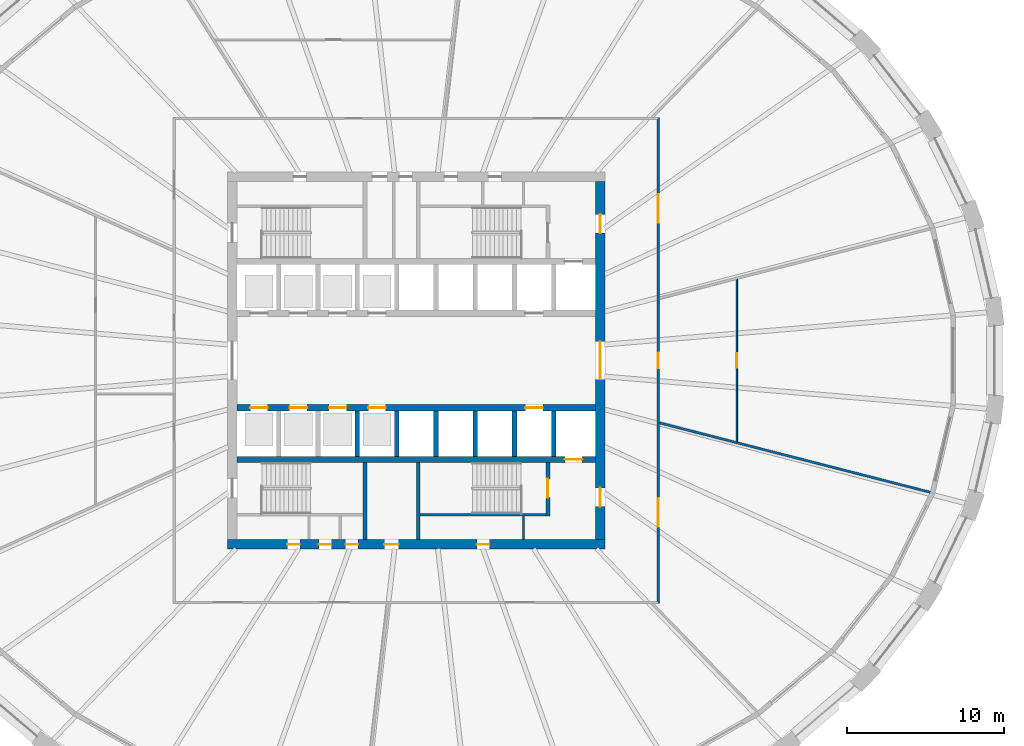
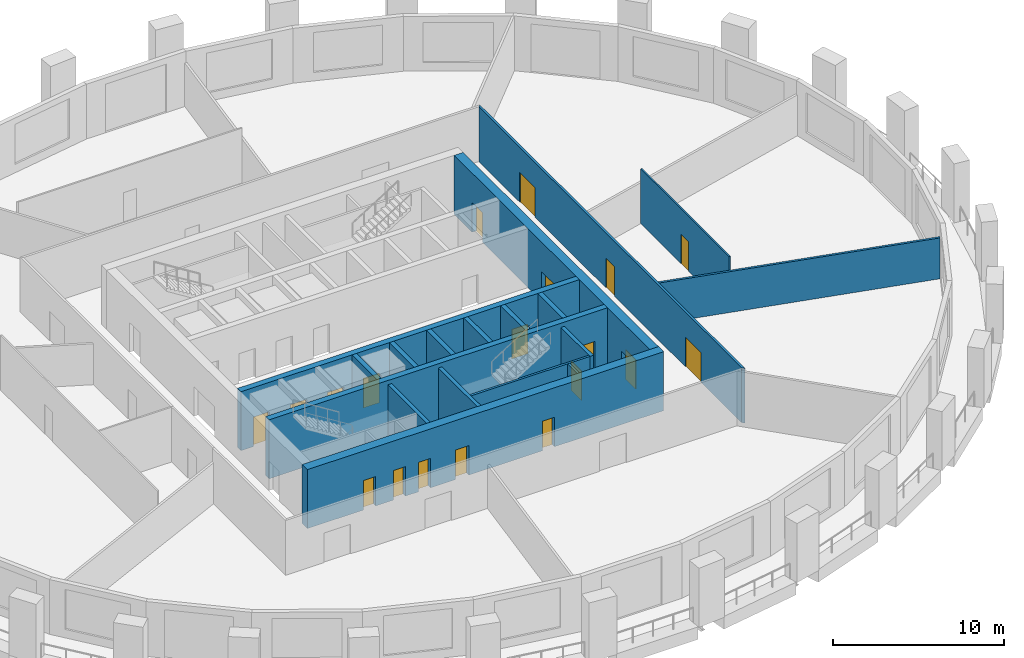
# One storey, part 4 of 10: 19 doors, 18 walls, 19 openings.
"""IFC4 building model written with IfcOpenShell, lengths in metres."""

from ifc_helpers import new_model, si_unit, direction, frame, frame_2d, origin, place, context, subcontext, project, spatial, polyline, rectangle, outline, extrude, material, layer, layer_set, type_object, element, fill, save


model = new_model("IFC4")

# Units and contexts
model_context = context("Model", 3, precision=1e-05, world=origin(), true_north=direction((0.0, 1.0)))
body_context = subcontext(model_context, "Body", "Model", "MODEL_VIEW")
ifc_project = project(units=[si_unit("LENGTHUNIT", "METRE"), si_unit("AREAUNIT", "SQUARE_METRE"), si_unit("VOLUMEUNIT", "CUBIC_METRE"), si_unit("PLANEANGLEUNIT", "RADIAN"), si_unit("MASSUNIT", "GRAM", prefix="KILO")], contexts=[model_context])

# Site, building, storey
site_placement = place(None, origin())
site = spatial("IfcSite", under=ifc_project, at=site_placement, CompositionType="ELEMENT")
building_placement = place(site_placement, origin())
building = spatial("IfcBuilding", under=site, at=building_placement, Name="Halqa Exchange Tower", CompositionType="ELEMENT")
storey_placement = place(building_placement, frame((0.0, 0.0, 61.300048828125)))
storey = spatial("IfcBuildingStorey", under=building, at=storey_placement, Name="L13", CompositionType="ELEMENT", Elevation=61.300048828125)

# Wall, openings, doors
ifc_material_1 = material(Name="Fire-rated gypsum board")
ifc_layer_1 = layer(ifc_material_1, 0.14990234375)
ifc_layer_set_1 = layer_set([ifc_layer_1], Name="Fire-rated gypsum board")
wall_type_1 = type_object("IfcWallType", Name="Fire partition EI 60 150", PredefinedType="PARTITIONING", material=ifc_layer_set_1)
wall_1_placement = place(storey_placement, frame((15.39990234375, -15.47509765625, 0.0), z_axis=(0.0, 0.0, 1.0), x_axis=(0.0, 1.0, 0.0)))
wall_1 = element("IfcWall", 1, at=wall_1_placement, inside=storey, type_object=wall_type_1, Name="L13-PWL-015", PredefinedType="PARTITIONING", context=body_context, shape_type="SweptSolid", body=[
    extrude(outline(polyline([(0.000244140625, -0.074951171875), (1.9345703125, -0.074951171875), (3.868896484375, -0.074951171875), (5.80322265625, -0.074951171875), (7.73779296875, -0.074951171875), (9.672119140625, -0.074951171875), (11.6064453125, -0.074951171875), (13.540771484375, -0.074951171875), (15.47509765625, -0.074951171875), (17.409423828125, -0.074951171875), (19.34375, -0.074951171875), (21.278076171875, -0.074951171875), (23.21240234375, -0.074951171875), (25.14697265625, -0.074951171875), (27.081298828125, -0.074951171875), (29.015625, -0.074951171875), (30.949951171875, -0.074951171875), (30.800048828125, 0.074951171875), (28.884521484375, 0.074951171875), (26.96875, 0.074951171875), (25.05322265625, 0.074951171875), (23.1376953125, 0.074951171875), (21.221923828125, 0.074951171875), (19.306396484375, 0.074951171875), (17.390625, 0.074951171875), (15.47509765625, 0.074951171875), (13.5595703125, 0.074951171875), (11.643798828125, 0.074951171875), (9.728271484375, 0.074951171875), (7.8125, 0.074951171875), (5.89697265625, 0.074951171875), (3.9814453125, 0.074951171875), (2.065673828125, 0.074951171875), (0.150146484375, 0.074951171875), (0.000244140625, -0.074951171875)])), origin(), (0.0, 0.0, 1.0), 3.89990234375),
])
opening_1_placement = place(wall_1_placement, frame((4.89990234375, 0.0, 0.0)))
opening_1 = element("IfcOpeningElement", 2, at=opening_1_placement, cuts=wall_1, Name="Opening 04-01", PredefinedType="OPENING", context=body_context, shape_type="SweptSolid", body=[
    extrude(rectangle(XDim=1.800048828125, YDim=2.10009765625, at=frame_2d((0.89990234375, 1.050048828125))), frame((0.0, 0.0869140625, 0.0), z_axis=(0.0, -1.0, 0.0), x_axis=(1.0, 0.0, 0.0)), (0.0, 0.0, 1.0), 0.173828125),
])
opening_2_placement = place(wall_1_placement, frame((14.97509765625, 0.0, 0.0)))
opening_2 = element("IfcOpeningElement", 3, at=opening_2_placement, cuts=wall_1, Name="Opening 04-02", PredefinedType="OPENING", context=body_context, shape_type="SweptSolid", body=[
    extrude(rectangle(XDim=1.0, YDim=2.10009765625, at=frame_2d((0.5, 1.050048828125))), frame((0.0, 0.0869140625, 0.0), z_axis=(0.0, -1.0, 0.0), x_axis=(1.0, 0.0, 0.0)), (0.0, 0.0, 1.0), 0.173828125),
])
opening_3_placement = place(wall_1_placement, frame((24.25, 0.0, 0.0)))
opening_3 = element("IfcOpeningElement", 4, at=opening_3_placement, cuts=wall_1, Name="Opening 04-03", PredefinedType="OPENING", context=body_context, shape_type="SweptSolid", body=[
    extrude(rectangle(XDim=1.800048828125, YDim=2.10009765625, at=frame_2d((0.89990234375, 1.050048828125))), frame((0.0, 0.0869140625, 0.0), z_axis=(0.0, -1.0, 0.0), x_axis=(1.0, 0.0, 0.0)), (0.0, 0.0, 1.0), 0.173828125),
])
ifc_material_2 = material(Name="Steel fire door leaf", Category="steel")
door_type_1 = type_object("IfcDoorType", Name="Fire door FD30S 1000 x 2100", OperationType="SINGLE_SWING_LEFT", PredefinedType="DOOR", material=ifc_material_2)
door_1_placement = place(opening_2_placement, frame((1.0, 0.0, 0.0), z_axis=(0.0, 0.0, 1.0), x_axis=(-1.0, 0.0, 0.0)))
door_1 = element("IfcDoor", 5, at=door_1_placement, inside=storey, type_object=door_type_1, Name="L13-IDR-002", OperationType="SINGLE_SWING_RIGHT", OverallHeight=2.10009765625, OverallWidth=1.0, PredefinedType="DOOR", context=body_context, shape_type="SweptSolid", body=[
    extrude(rectangle(XDim=1.0, YDim=2.10009765625, at=frame_2d((0.5, 1.050048828125))), frame((0.0, 0.02490234375, 0.0), z_axis=(0.0, -1.0, 0.0), x_axis=(1.0, 0.0, 0.0)), (0.0, 0.0, 1.0), 0.050048828125),
])
fill(opening_2, door_1)
door_type_2 = type_object("IfcDoorType", Name="Fire door FD30S double 1800 x 2100", OperationType="DOUBLE_DOOR_SINGLE_SWING", PredefinedType="DOOR", material=ifc_material_2)
door_2_placement = place(opening_1_placement, frame((1.800048828125, 0.0, 0.0), z_axis=(0.0, 0.0, 1.0), x_axis=(-1.0, 0.0, 0.0)))
door_2 = element("IfcDoor", 6, at=door_2_placement, inside=storey, type_object=door_type_2, Name="L13-IDR-001", OperationType="DOUBLE_DOOR_SINGLE_SWING", OverallHeight=2.10009765625, OverallWidth=1.800048828125, PredefinedType="DOOR", context=body_context, shape_type="SweptSolid", body=[
    extrude(rectangle(XDim=1.800048828125, YDim=2.10009765625, at=frame_2d((0.89990234375, 1.050048828125))), frame((0.0, 0.02490234375, 0.0), z_axis=(0.0, -1.0, 0.0), x_axis=(1.0, 0.0, 0.0)), (0.0, 0.0, 1.0), 0.050048828125),
])
fill(opening_1, door_2)
door_3_placement = place(opening_3_placement, frame((1.800048828125, 0.0, 0.0), z_axis=(0.0, 0.0, 1.0), x_axis=(-1.0, 0.0, 0.0)))
door_3 = element("IfcDoor", 7, at=door_3_placement, inside=storey, type_object=door_type_2, Name="L13-IDR-003", OperationType="DOUBLE_DOOR_SINGLE_SWING", OverallHeight=2.10009765625, OverallWidth=1.800048828125, PredefinedType="DOOR", context=body_context, shape_type="SweptSolid", body=[
    extrude(rectangle(XDim=1.800048828125, YDim=2.10009765625, at=frame_2d((0.89990234375, 1.050048828125))), frame((0.0, 0.02490234375, 0.0), z_axis=(0.0, -1.0, 0.0), x_axis=(1.0, 0.0, 0.0)), (0.0, 0.0, 1.0), 0.050048828125),
])
fill(opening_3, door_3)

# Wall
wall_2_placement = place(storey_placement, frame((15.456787109375, -3.964599609375, 0.0), z_axis=(0.0, 0.0, 1.0), x_axis=(0.968702688789, -0.248223892349, 0.0)))
element("IfcWall", 8, at=wall_2_placement, inside=storey, type_object=wall_type_1, Name="L13-PWL-016", PredefinedType="PARTITIONING", context=body_context, shape_type="SweptSolid", body=[
    extrude(outline(polyline([(0.0380859375, -0.074951171875), (2.01025390625, -0.074951171875), (3.982421875, -0.074951171875), (5.954833984375, -0.074951171875), (7.927001953125, -0.074951171875), (9.8994140625, -0.074951171875), (11.87158203125, -0.074951171875), (13.843994140625, -0.074951171875), (15.816162109375, -0.074951171875), (17.788330078125, -0.074951171875), (17.80126953125, -0.01318359375), (17.80126953125, 0.074951171875), (15.97802734375, 0.074951171875), (14.154541015625, 0.074951171875), (12.331298828125, 0.074951171875), (10.5078125, 0.074951171875), (8.6845703125, 0.074951171875), (6.861083984375, 0.074951171875), (5.037841796875, 0.074951171875), (5.032470703125, 0.073486328125), (5.031982421875, 0.074951171875), (3.354736328125, 0.074951171875), (1.67724609375, 0.074951171875), (0.0, 0.074951171875), (0.0, 0.073486328125), (0.0380859375, -0.074951171875)])), origin(), (0.0, 0.0, 1.0), 2.909912109375),
])

# Wall, opening, door
ifc_material_3 = material(Name="Gypsum board")
ifc_layer_2 = layer(ifc_material_3, 0.10009765625)
ifc_layer_set_2 = layer_set([ifc_layer_2], Name="Gypsum board")
wall_type_2 = type_object("IfcWallType", Name="Partition 100 gypsum", PredefinedType="PARTITIONING", material=ifc_layer_set_2)
wall_3_placement = place(storey_placement, frame((20.39990234375, 5.1650390625, 0.0), z_axis=(0.0, 0.0, 1.0), x_axis=(0.0, -1.0, 0.0)))
wall_3 = element("IfcWall", 9, at=wall_3_placement, inside=storey, type_object=wall_type_2, Name="L13-PWL-018", PredefinedType="PARTITIONING", context=body_context, shape_type="SweptSolid", body=[
    extrude(outline(polyline([(0.025390625, -0.050048828125), (1.73876953125, -0.050048828125), (3.4521484375, -0.050048828125), (5.165771484375, -0.050048828125), (6.879150390625, -0.050048828125), (8.592529296875, -0.050048828125), (10.305908203125, -0.050048828125), (10.33154296875, 0.049560546875), (10.33154296875, 0.050048828125), (8.609619140625, 0.050048828125), (6.8876953125, 0.050048828125), (5.165771484375, 0.050048828125), (3.44384765625, 0.050048828125), (1.721923828125, 0.050048828125), (0.0, 0.050048828125), (0.0, 0.048828125), (0.025390625, -0.050048828125)])), origin(), (0.0, 0.0, 1.0), 3.89990234375),
])
opening_4_placement = place(wall_3_placement, frame((4.715087890625, 0.0, 0.0)))
opening_4 = element("IfcOpeningElement", 10, at=opening_4_placement, cuts=wall_3, Name="Opening 04-12", PredefinedType="OPENING", context=body_context, shape_type="SweptSolid", body=[
    extrude(rectangle(XDim=0.89990234375, YDim=2.10009765625, at=frame_2d((0.449951171875, 1.050048828125))), frame((0.0, 0.06201171875, 0.0), z_axis=(0.0, -1.0, 0.0), x_axis=(1.0, 0.0, 0.0)), (0.0, 0.0, 1.0), 0.1240234375),
])
ifc_material_4 = material(Name="Timber door leaf", Category="wood")
door_type_3 = type_object("IfcDoorType", Name="Door 900 x 2100", OperationType="SINGLE_SWING_LEFT", PredefinedType="DOOR", material=ifc_material_4)
door_4_placement = place(opening_4_placement, frame((0.89990234375, 0.0, 0.0), z_axis=(0.0, 0.0, 1.0), x_axis=(-1.0, 0.0, 0.0)))
door_4 = element("IfcDoor", 11, at=door_4_placement, inside=storey, type_object=door_type_3, Name="L13-IDR-012", OperationType="SINGLE_SWING_LEFT", OverallHeight=2.10009765625, OverallWidth=0.89990234375, PredefinedType="DOOR", context=body_context, shape_type="SweptSolid", body=[
    extrude(rectangle(XDim=0.89990234375, YDim=2.10009765625, at=frame_2d((0.449951171875, 1.050048828125))), frame((0.0, 0.02490234375, 0.0), z_axis=(0.0, -1.0, 0.0), x_axis=(1.0, 0.0, 0.0)), (0.0, 0.0, 1.0), 0.050048828125),
])
fill(opening_4, door_4)

# Walls
ifc_layer_3 = layer(ifc_material_3, 0.14990234375)
ifc_layer_set_3 = layer_set([ifc_layer_3], Name="Gypsum board")
wall_type_3 = type_object("IfcWallType", Name="Penthouse riser wall 150 gypsum", PredefinedType="PARTITIONING", material=ifc_layer_set_3)
wall_4_placement = place(storey_placement, frame((6.824951171875, -11.39990234375, 0.0), z_axis=(0.0, 0.0, 1.0), x_axis=(0.0, 1.0, 0.0)))
element("IfcWall", 12, at=wall_4_placement, inside=storey, type_object=wall_type_3, Name="Firefighting lobby west wall S", PredefinedType="PARTITIONING", context=body_context, shape_type="SweptSolid", body=[
    extrude(rectangle(XDim=1.5, YDim=0.14990234375, at=frame_2d((0.75, 0.0))), origin(), (0.0, 0.0, 1.0), 3.89990234375),
])
ifc_material_5 = material(Name="Concrete C60/75", Category="concrete")
ifc_layer_4 = layer(ifc_material_5, 0.300048828125)
ifc_layer_set_4 = layer_set([ifc_layer_4], Name="Concrete C60/75")
wall_type_4 = type_object("IfcWallType", Name="RC core wall 300", PredefinedType="SHEAR", material=ifc_layer_set_4)
for number, where, z_axis, x_axis, name in (
    (13, (-3.75, -6.10009765625, 0.0), (0.0, 0.0, 1.0), (0.0, 1.0, 0.0), "Shaft divider S3"),
    (14, (-1.25, -6.10009765625, 0.0), (0.0, 0.0, 1.0), (0.0, 1.0, 0.0), "Shaft divider S4"),
    (15, (1.25, -6.10009765625, 0.0), (0.0, 0.0, 1.0), (0.0, 1.0, 0.0), "Shaft divider S5"),
    (16, (3.75, -6.10009765625, 0.0), (0.0, 0.0, 1.0), (0.0, 1.0, 0.0), "Shaft divider S6"),
    (17, (6.25, -6.10009765625, 0.0), (0.0, 0.0, 1.0), (0.0, 1.0, 0.0), "Shaft divider S7"),
    (18, (8.75, -6.10009765625, 0.0), (0.0, 0.0, 1.0), (0.0, 1.0, 0.0), "Shaft divider S8"),
):
    element("IfcWall", number, at=place(storey_placement, frame(where, z_axis=z_axis, x_axis=x_axis)), inside=storey, type_object=wall_type_4, Name=name, PredefinedType="SHEAR", context=body_context, shape_type="SweptSolid", body=[
        extrude(rectangle(XDim=2.900146484375, YDim=0.300048828125, at=frame_2d((1.4501953125, 0.0))), origin(), (0.0, 0.0, 1.0), 4.199951171875),
    ])

# Wall, openings, doors
ifc_material_6 = material(Name="Concrete C80/95", Category="concrete")
ifc_layer_5 = layer(ifc_material_6, 0.39990234375)
ifc_layer_set_5 = layer_set([ifc_layer_5], Name="Concrete C80/95")
wall_type_5 = type_object("IfcWallType", Name="RC core wall 400 C80/95", PredefinedType="SHEAR", material=ifc_layer_set_5)
wall_5_placement = place(storey_placement, frame((-11.39990234375, -3.0, 0.0), z_axis=(0.0, 0.0, 1.0), x_axis=(1.0, 0.0, 0.0)))
wall_5 = element("IfcWall", 19, at=wall_5_placement, inside=storey, type_object=wall_type_5, Name="Lift row front wall S", PredefinedType="SHEAR", context=body_context, shape_type="SweptSolid", body=[
    extrude(rectangle(XDim=22.7998046875, YDim=0.39990234375, at=frame_2d((11.39990234375, 0.0))), origin(), (0.0, 0.0, 1.0), 4.199951171875),
])
opening_5_placement = place(wall_5_placement, frame((0.85009765625, 0.0, 0.0)))
opening_5 = element("IfcOpeningElement", 20, at=opening_5_placement, cuts=wall_5, Name="Opening LD-LR5-T04", PredefinedType="OPENING", context=body_context, shape_type="SweptSolid", body=[
    extrude(rectangle(XDim=1.10009765625, YDim=2.10009765625, at=frame_2d((0.550048828125, 1.050048828125))), frame((0.0, 0.2119140625, 0.0), z_axis=(0.0, -1.0, 0.0), x_axis=(1.0, 0.0, 0.0)), (0.0, 0.0, 1.0), 0.423828125),
])
opening_6_placement = place(wall_5_placement, frame((3.35009765625, 0.0, 0.0)))
opening_6 = element("IfcOpeningElement", 21, at=opening_6_placement, cuts=wall_5, Name="Opening LD-LR6-T04", PredefinedType="OPENING", context=body_context, shape_type="SweptSolid", body=[
    extrude(rectangle(XDim=1.10009765625, YDim=2.10009765625, at=frame_2d((0.550048828125, 1.050048828125))), frame((0.0, 0.2119140625, 0.0), z_axis=(0.0, -1.0, 0.0), x_axis=(1.0, 0.0, 0.0)), (0.0, 0.0, 1.0), 0.423828125),
])
opening_7_placement = place(wall_5_placement, frame((5.85009765625, 0.0, 0.0)))
opening_7 = element("IfcOpeningElement", 22, at=opening_7_placement, cuts=wall_5, Name="Opening LD-LR7-T04", PredefinedType="OPENING", context=body_context, shape_type="SweptSolid", body=[
    extrude(rectangle(XDim=1.10009765625, YDim=2.10009765625, at=frame_2d((0.550048828125, 1.050048828125))), frame((0.0, 0.2119140625, 0.0), z_axis=(0.0, -1.0, 0.0), x_axis=(1.0, 0.0, 0.0)), (0.0, 0.0, 1.0), 0.423828125),
])
opening_8_placement = place(wall_5_placement, frame((8.35009765625, 0.0, 0.0)))
opening_8 = element("IfcOpeningElement", 23, at=opening_8_placement, cuts=wall_5, Name="Opening LD-LR8-T04", PredefinedType="OPENING", context=body_context, shape_type="SweptSolid", body=[
    extrude(rectangle(XDim=1.10009765625, YDim=2.10009765625, at=frame_2d((0.550048828125, 1.050048828125))), frame((0.0, 0.2119140625, 0.0), z_axis=(0.0, -1.0, 0.0), x_axis=(1.0, 0.0, 0.0)), (0.0, 0.0, 1.0), 0.423828125),
])
opening_9_placement = place(wall_5_placement, frame((18.35009765625, 0.0, 0.0)))
opening_9 = element("IfcOpeningElement", 24, at=opening_9_placement, cuts=wall_5, Name="Opening LD-SV2-T04", PredefinedType="OPENING", context=body_context, shape_type="SweptSolid", body=[
    extrude(rectangle(XDim=1.10009765625, YDim=2.10009765625, at=frame_2d((0.550048828125, 1.050048828125))), frame((0.0, 0.2119140625, 0.0), z_axis=(0.0, -1.0, 0.0), x_axis=(1.0, 0.0, 0.0)), (0.0, 0.0, 1.0), 0.423828125),
])
ifc_material_7 = material(Name="Stainless steel", Category="steel")
door_type_4 = type_object("IfcDoorType", Name="Lift landing door 1100 x 2100", OperationType="SLIDING_TO_LEFT", PredefinedType="DOOR", material=ifc_material_7)
door_5_placement = place(opening_5_placement, origin())
door_5 = element("IfcDoor", 25, at=door_5_placement, inside=storey, type_object=door_type_4, Name="Lift landing door LR5", OperationType="SLIDING_TO_LEFT", OverallHeight=2.10009765625, OverallWidth=1.10009765625, PredefinedType="DOOR", context=body_context, shape_type="SweptSolid", body=[
    extrude(rectangle(XDim=1.10009765625, YDim=2.10009765625, at=frame_2d((0.550048828125, 1.050048828125))), frame((0.0, 0.02490234375, 0.0), z_axis=(0.0, -1.0, 0.0), x_axis=(1.0, 0.0, 0.0)), (0.0, 0.0, 1.0), 0.050048828125),
])
fill(opening_5, door_5)
door_6_placement = place(opening_6_placement, origin())
door_6 = element("IfcDoor", 26, at=door_6_placement, inside=storey, type_object=door_type_4, Name="Lift landing door LR6", OperationType="SLIDING_TO_LEFT", OverallHeight=2.10009765625, OverallWidth=1.10009765625, PredefinedType="DOOR", context=body_context, shape_type="SweptSolid", body=[
    extrude(rectangle(XDim=1.10009765625, YDim=2.10009765625, at=frame_2d((0.550048828125, 1.050048828125))), frame((0.0, 0.02490234375, 0.0), z_axis=(0.0, -1.0, 0.0), x_axis=(1.0, 0.0, 0.0)), (0.0, 0.0, 1.0), 0.050048828125),
])
fill(opening_6, door_6)
door_7_placement = place(opening_7_placement, origin())
door_7 = element("IfcDoor", 27, at=door_7_placement, inside=storey, type_object=door_type_4, Name="Lift landing door LR7", OperationType="SLIDING_TO_LEFT", OverallHeight=2.10009765625, OverallWidth=1.10009765625, PredefinedType="DOOR", context=body_context, shape_type="SweptSolid", body=[
    extrude(rectangle(XDim=1.10009765625, YDim=2.10009765625, at=frame_2d((0.550048828125, 1.050048828125))), frame((0.0, 0.02490234375, 0.0), z_axis=(0.0, -1.0, 0.0), x_axis=(1.0, 0.0, 0.0)), (0.0, 0.0, 1.0), 0.050048828125),
])
fill(opening_7, door_7)
door_8_placement = place(opening_8_placement, origin())
door_8 = element("IfcDoor", 28, at=door_8_placement, inside=storey, type_object=door_type_4, Name="Lift landing door LR8", OperationType="SLIDING_TO_LEFT", OverallHeight=2.10009765625, OverallWidth=1.10009765625, PredefinedType="DOOR", context=body_context, shape_type="SweptSolid", body=[
    extrude(rectangle(XDim=1.10009765625, YDim=2.10009765625, at=frame_2d((0.550048828125, 1.050048828125))), frame((0.0, 0.02490234375, 0.0), z_axis=(0.0, -1.0, 0.0), x_axis=(1.0, 0.0, 0.0)), (0.0, 0.0, 1.0), 0.050048828125),
])
fill(opening_8, door_8)
door_9_placement = place(opening_9_placement, origin())
door_9 = element("IfcDoor", 29, at=door_9_placement, inside=storey, type_object=door_type_4, Name="Lift landing door SV2", OperationType="SLIDING_TO_LEFT", OverallHeight=2.10009765625, OverallWidth=1.10009765625, PredefinedType="DOOR", context=body_context, shape_type="SweptSolid", body=[
    extrude(rectangle(XDim=1.10009765625, YDim=2.10009765625, at=frame_2d((0.550048828125, 1.050048828125))), frame((0.0, 0.02490234375, 0.0), z_axis=(0.0, -1.0, 0.0), x_axis=(1.0, 0.0, 0.0)), (0.0, 0.0, 1.0), 0.050048828125),
])
fill(opening_9, door_9)

# Wall, opening, door
wall_6_placement = place(storey_placement, frame((-11.39990234375, -6.300048828125, 0.0), z_axis=(0.0, 0.0, 1.0), x_axis=(1.0, 0.0, 0.0)))
wall_6 = element("IfcWall", 30, at=wall_6_placement, inside=storey, type_object=wall_type_5, Name="Lift row back wall S", PredefinedType="SHEAR", context=body_context, shape_type="SweptSolid", body=[
    extrude(rectangle(XDim=22.7998046875, YDim=0.39990234375, at=frame_2d((11.39990234375, 0.0))), origin(), (0.0, 0.0, 1.0), 4.199951171875),
])
opening_10_placement = place(wall_6_placement, frame((20.85009765625, 0.0, 0.0)))
opening_10 = element("IfcOpeningElement", 31, at=opening_10_placement, cuts=wall_6, Name="Opening LD-FF2-T04", PredefinedType="OPENING", context=body_context, shape_type="SweptSolid", body=[
    extrude(rectangle(XDim=1.10009765625, YDim=2.10009765625, at=frame_2d((0.550048828125, 1.050048828125))), frame((0.0, 0.2119140625, 0.0), z_axis=(0.0, -1.0, 0.0), x_axis=(1.0, 0.0, 0.0)), (0.0, 0.0, 1.0), 0.423828125),
])
door_10_placement = place(opening_10_placement, origin())
door_10 = element("IfcDoor", 32, at=door_10_placement, inside=storey, type_object=door_type_4, Name="Lift landing door FF2", OperationType="SLIDING_TO_LEFT", OverallHeight=2.10009765625, OverallWidth=1.10009765625, PredefinedType="DOOR", context=body_context, shape_type="SweptSolid", body=[
    extrude(rectangle(XDim=1.10009765625, YDim=2.10009765625, at=frame_2d((0.550048828125, 1.050048828125))), frame((0.0, 0.02490234375, 0.0), z_axis=(0.0, -1.0, 0.0), x_axis=(1.0, 0.0, 0.0)), (0.0, 0.0, 1.0), 0.050048828125),
])
fill(opening_10, door_10)

# Wall, openings, doors
ifc_layer_6 = layer(ifc_material_6, 0.60009765625)
ifc_layer_set_6 = layer_set([ifc_layer_6], Name="Concrete C80/95")
wall_type_6 = type_object("IfcWallType", Name="RC core wall 600 C80/95", PredefinedType="SHEAR", material=ifc_layer_set_6)
wall_7_placement = place(storey_placement, frame((-12.0, -11.699951171875, 0.0), z_axis=(0.0, 0.0, 1.0), x_axis=(1.0, 0.0, 0.0)))
wall_7 = element("IfcWall", 33, at=wall_7_placement, inside=storey, type_object=wall_type_6, Name="Core wall south", PredefinedType="SHEAR", context=body_context, shape_type="SweptSolid", body=[
    extrude(rectangle(XDim=24.0, YDim=0.60009765625, at=frame_2d((12.0, 0.0))), origin(), (0.0, 0.0, 1.0), 4.199951171875),
])
opening_11_placement = place(wall_7_placement, frame((9.97509765625, 0.0, 0.0)))
opening_11 = element("IfcOpeningElement", 34, at=opening_11_placement, cuts=wall_7, Name="Opening T04-C26", PredefinedType="OPENING", context=body_context, shape_type="SweptSolid", body=[
    extrude(rectangle(XDim=0.89990234375, YDim=2.10009765625, at=frame_2d((0.449951171875, 1.050048828125))), frame((0.0, 0.31201171875, 0.0), z_axis=(0.0, -1.0, 0.0), x_axis=(1.0, 0.0, 0.0)), (0.0, 0.0, 1.0), 0.6240234375),
])
opening_12_placement = place(wall_7_placement, frame((3.800048828125, 0.0, 0.0)))
opening_12 = element("IfcOpeningElement", 35, at=opening_12_placement, cuts=wall_7, Name="Opening T04-C27", PredefinedType="OPENING", context=body_context, shape_type="SweptSolid", body=[
    extrude(rectangle(XDim=0.800048828125, YDim=2.10009765625, at=frame_2d((0.39990234375, 1.050048828125))), frame((0.0, 0.31201171875, 0.0), z_axis=(0.0, -1.0, 0.0), x_axis=(1.0, 0.0, 0.0)), (0.0, 0.0, 1.0), 0.6240234375),
])
opening_13_placement = place(wall_7_placement, frame((5.800048828125, 0.0, 0.0)))
opening_13 = element("IfcOpeningElement", 36, at=opening_13_placement, cuts=wall_7, Name="Opening T04-C28", PredefinedType="OPENING", context=body_context, shape_type="SweptSolid", body=[
    extrude(rectangle(XDim=0.800048828125, YDim=2.10009765625, at=frame_2d((0.39990234375, 1.050048828125))), frame((0.0, 0.31201171875, 0.0), z_axis=(0.0, -1.0, 0.0), x_axis=(1.0, 0.0, 0.0)), (0.0, 0.0, 1.0), 0.6240234375),
])
opening_14_placement = place(wall_7_placement, frame((7.5, 0.0, 0.0)))
opening_14 = element("IfcOpeningElement", 37, at=opening_14_placement, cuts=wall_7, Name="Opening T04-C29", PredefinedType="OPENING", context=body_context, shape_type="SweptSolid", body=[
    extrude(rectangle(XDim=0.800048828125, YDim=2.10009765625, at=frame_2d((0.39990234375, 1.050048828125))), frame((0.0, 0.31201171875, 0.0), z_axis=(0.0, -1.0, 0.0), x_axis=(1.0, 0.0, 0.0)), (0.0, 0.0, 1.0), 0.6240234375),
])
opening_15_placement = place(wall_7_placement, frame((15.85009765625, 0.0, 0.0)))
opening_15 = element("IfcOpeningElement", 38, at=opening_15_placement, cuts=wall_7, Name="Opening T04-C30", PredefinedType="OPENING", context=body_context, shape_type="SweptSolid", body=[
    extrude(rectangle(XDim=0.800048828125, YDim=2.10009765625, at=frame_2d((0.39990234375, 1.050048828125))), frame((0.0, 0.31201171875, 0.0), z_axis=(0.0, -1.0, 0.0), x_axis=(1.0, 0.0, 0.0)), (0.0, 0.0, 1.0), 0.6240234375),
])
ifc_material_8 = material(Name="Timber fire door leaf", Category="wood")
door_type_5 = type_object("IfcDoorType", Name="Core room door FD30 900 x 2100", OperationType="SINGLE_SWING_LEFT", PredefinedType="DOOR", material=ifc_material_8)
door_11_placement = place(opening_11_placement, origin())
door_11 = element("IfcDoor", 39, at=door_11_placement, inside=storey, type_object=door_type_5, Name="Core room door", OperationType="SINGLE_SWING_LEFT", OverallHeight=2.10009765625, OverallWidth=0.89990234375, PredefinedType="DOOR", context=body_context, shape_type="SweptSolid", body=[
    extrude(rectangle(XDim=0.89990234375, YDim=2.10009765625, at=frame_2d((0.449951171875, 1.050048828125))), frame((0.0, 0.02490234375, 0.0), z_axis=(0.0, -1.0, 0.0), x_axis=(1.0, 0.0, 0.0)), (0.0, 0.0, 1.0), 0.050048828125),
])
fill(opening_11, door_11)
door_type_6 = type_object("IfcDoorType", Name="Riser door FD60 800 x 2100", OperationType="SINGLE_SWING_LEFT", PredefinedType="DOOR", material=ifc_material_2)
door_12_placement = place(opening_12_placement, origin())
door_12 = element("IfcDoor", 40, at=door_12_placement, inside=storey, type_object=door_type_6, Name="Core room door", OperationType="SINGLE_SWING_LEFT", OverallHeight=2.10009765625, OverallWidth=0.800048828125, PredefinedType="DOOR", context=body_context, shape_type="SweptSolid", body=[
    extrude(rectangle(XDim=0.800048828125, YDim=2.10009765625, at=frame_2d((0.39990234375, 1.050048828125))), frame((0.0, 0.02490234375, 0.0), z_axis=(0.0, -1.0, 0.0), x_axis=(1.0, 0.0, 0.0)), (0.0, 0.0, 1.0), 0.050048828125),
])
fill(opening_12, door_12)
door_13_placement = place(opening_13_placement, origin())
door_13 = element("IfcDoor", 41, at=door_13_placement, inside=storey, type_object=door_type_6, Name="Core room door", OperationType="SINGLE_SWING_RIGHT", OverallHeight=2.10009765625, OverallWidth=0.800048828125, PredefinedType="DOOR", context=body_context, shape_type="SweptSolid", body=[
    extrude(rectangle(XDim=0.800048828125, YDim=2.10009765625, at=frame_2d((0.39990234375, 1.050048828125))), frame((0.0, 0.02490234375, 0.0), z_axis=(0.0, -1.0, 0.0), x_axis=(1.0, 0.0, 0.0)), (0.0, 0.0, 1.0), 0.050048828125),
])
fill(opening_13, door_13)
door_14_placement = place(opening_14_placement, origin())
door_14 = element("IfcDoor", 42, at=door_14_placement, inside=storey, type_object=door_type_6, Name="Core room door", OperationType="SINGLE_SWING_RIGHT", OverallHeight=2.10009765625, OverallWidth=0.800048828125, PredefinedType="DOOR", context=body_context, shape_type="SweptSolid", body=[
    extrude(rectangle(XDim=0.800048828125, YDim=2.10009765625, at=frame_2d((0.39990234375, 1.050048828125))), frame((0.0, 0.02490234375, 0.0), z_axis=(0.0, -1.0, 0.0), x_axis=(1.0, 0.0, 0.0)), (0.0, 0.0, 1.0), 0.050048828125),
])
fill(opening_14, door_14)
door_15_placement = place(opening_15_placement, origin())
door_15 = element("IfcDoor", 43, at=door_15_placement, inside=storey, type_object=door_type_6, Name="Core room door", OperationType="SINGLE_SWING_LEFT", OverallHeight=2.10009765625, OverallWidth=0.800048828125, PredefinedType="DOOR", context=body_context, shape_type="SweptSolid", body=[
    extrude(rectangle(XDim=0.800048828125, YDim=2.10009765625, at=frame_2d((0.39990234375, 1.050048828125))), frame((0.0, 0.02490234375, 0.0), z_axis=(0.0, -1.0, 0.0), x_axis=(1.0, 0.0, 0.0)), (0.0, 0.0, 1.0), 0.050048828125),
])
fill(opening_15, door_15)

wall_8_placement = place(storey_placement, frame((11.699951171875, -11.39990234375, 0.0), z_axis=(0.0, 0.0, 1.0), x_axis=(0.0, 1.0, 0.0)))
wall_8 = element("IfcWall", 44, at=wall_8_placement, inside=storey, type_object=wall_type_6, Name="Core wall east", PredefinedType="SHEAR", context=body_context, shape_type="SweptSolid", body=[
    extrude(rectangle(XDim=22.7998046875, YDim=0.60009765625, at=frame_2d((11.39990234375, 0.0))), origin(), (0.0, 0.0, 1.0), 4.199951171875),
])
opening_16_placement = place(wall_8_placement, frame((10.199951171875, 0.0, 0.0)))
opening_16 = element("IfcOpeningElement", 45, at=opening_16_placement, cuts=wall_8, Name="Opening T04-C14", PredefinedType="OPENING", context=body_context, shape_type="SweptSolid", body=[
    extrude(rectangle(XDim=2.39990234375, YDim=2.10009765625, at=frame_2d((1.199951171875, 1.050048828125))), frame((0.0, 0.31201171875, 0.0), z_axis=(0.0, -1.0, 0.0), x_axis=(1.0, 0.0, 0.0)), (0.0, 0.0, 1.0), 0.6240234375),
])
opening_17_placement = place(wall_8_placement, frame((19.5, 0.0, 0.0)))
opening_17 = element("IfcOpeningElement", 46, at=opening_17_placement, cuts=wall_8, Name="Opening T04-C19", PredefinedType="OPENING", context=body_context, shape_type="SweptSolid", body=[
    extrude(rectangle(XDim=1.199951171875, YDim=2.10009765625, at=frame_2d((0.60009765625, 1.050048828125))), frame((0.0, 0.31201171875, 0.0), z_axis=(0.0, -1.0, 0.0), x_axis=(1.0, 0.0, 0.0)), (0.0, 0.0, 1.0), 0.6240234375),
])
opening_18_placement = place(wall_8_placement, frame((2.10009765625, 0.0, 0.0)))
opening_18 = element("IfcOpeningElement", 47, at=opening_18_placement, cuts=wall_8, Name="Opening T04-C20", PredefinedType="OPENING", context=body_context, shape_type="SweptSolid", body=[
    extrude(rectangle(XDim=1.199951171875, YDim=2.10009765625, at=frame_2d((0.60009765625, 1.050048828125))), frame((0.0, 0.31201171875, 0.0), z_axis=(0.0, -1.0, 0.0), x_axis=(1.0, 0.0, 0.0)), (0.0, 0.0, 1.0), 0.6240234375),
])
door_type_7 = type_object("IfcDoorType", Name="Firefighting lobby door FD90 1200 x 2100", OperationType="SINGLE_SWING_RIGHT", PredefinedType="DOOR", material=ifc_material_2)
door_16_placement = place(opening_17_placement, origin())
door_16 = element("IfcDoor", 48, at=door_16_placement, inside=storey, type_object=door_type_7, Name="Firefighting lobby door", OperationType="SINGLE_SWING_RIGHT", OverallHeight=2.10009765625, OverallWidth=1.199951171875, PredefinedType="DOOR", context=body_context, shape_type="SweptSolid", body=[
    extrude(rectangle(XDim=1.199951171875, YDim=2.10009765625, at=frame_2d((0.60009765625, 1.050048828125))), frame((0.0, 0.02490234375, 0.0), z_axis=(0.0, -1.0, 0.0), x_axis=(1.0, 0.0, 0.0)), (0.0, 0.0, 1.0), 0.050048828125),
])
fill(opening_17, door_16)
door_17_placement = place(opening_18_placement, origin())
door_17 = element("IfcDoor", 49, at=door_17_placement, inside=storey, type_object=door_type_7, Name="Firefighting lobby door", OperationType="SINGLE_SWING_LEFT", OverallHeight=2.10009765625, OverallWidth=1.199951171875, PredefinedType="DOOR", context=body_context, shape_type="SweptSolid", body=[
    extrude(rectangle(XDim=1.199951171875, YDim=2.10009765625, at=frame_2d((0.60009765625, 1.050048828125))), frame((0.0, 0.02490234375, 0.0), z_axis=(0.0, -1.0, 0.0), x_axis=(1.0, 0.0, 0.0)), (0.0, 0.0, 1.0), 0.050048828125),
])
fill(opening_18, door_17)
door_type_8 = type_object("IfcDoorType", Name="Lobby double door FD60 2400 x 2100", OperationType="DOUBLE_DOOR_SINGLE_SWING", PredefinedType="DOOR", material=ifc_material_2)
door_18_placement = place(opening_16_placement, origin())
door_18 = element("IfcDoor", 50, at=door_18_placement, inside=storey, type_object=door_type_8, Name="Lift lobby double door", OperationType="DOUBLE_DOOR_SINGLE_SWING", OverallHeight=2.10009765625, OverallWidth=2.39990234375, PredefinedType="DOOR", context=body_context, shape_type="SweptSolid", body=[
    extrude(rectangle(XDim=2.39990234375, YDim=2.10009765625, at=frame_2d((1.199951171875, 1.050048828125))), frame((0.0, 0.02490234375, 0.0), z_axis=(0.0, -1.0, 0.0), x_axis=(1.0, 0.0, 0.0)), (0.0, 0.0, 1.0), 0.050048828125),
])
fill(opening_16, door_18)

# Walls
ifc_material_9 = material(Name="Concrete C30/37", Category="concrete")
ifc_layer_7 = layer(ifc_material_9, 0.14990234375)
ifc_layer_set_7 = layer_set([ifc_layer_7], Name="Concrete C30/37")
wall_type_7 = type_object("IfcWallType", Name="RC stair wall 150 C30/37", PredefinedType="SHEAR", material=ifc_layer_set_7)
wall_9_placement = place(storey_placement, frame((0.25, -9.824951171875, 0.0), z_axis=(0.0, 0.0, 1.0), x_axis=(1.0, 0.0, 0.0)))
element("IfcWall", 51, at=wall_9_placement, inside=storey, type_object=wall_type_7, Name="Stair ST2 north wall S", PredefinedType="SHEAR", context=body_context, shape_type="SweptSolid", body=[
    extrude(rectangle(XDim=8.0, YDim=0.14990234375, at=frame_2d((4.0, 0.0))), origin(), (0.0, 0.0, 1.0), 3.89990234375),
])
ifc_layer_8 = layer(ifc_material_9, 0.25)
ifc_layer_set_8 = layer_set([ifc_layer_8], Name="Concrete C30/37")
wall_type_8 = type_object("IfcWallType", Name="RC stair wall 250 C30/37", PredefinedType="SHEAR", material=ifc_layer_set_8)
for number, where, z_axis, x_axis, name in (
    (52, (-3.27490234375, -11.39990234375, 0.0), (0.0, 0.0, 1.0), (0.0, 1.0, 0.0), "Stair ST1 east wall S"),
    (53, (0.125, -11.39990234375, 0.0), (0.0, 0.0, 1.0), (0.0, 1.0, 0.0), "Stair ST2 west wall S"),
):
    element("IfcWall", number, at=place(storey_placement, frame(where, z_axis=z_axis, x_axis=x_axis)), inside=storey, type_object=wall_type_8, Name=name, PredefinedType="SHEAR", context=body_context, shape_type="SweptSolid", body=[
        extrude(rectangle(XDim=4.89990234375, YDim=0.25, at=frame_2d((2.449951171875, 0.0))), origin(), (0.0, 0.0, 1.0), 3.89990234375),
    ])

# Wall, opening, door
wall_10_placement = place(storey_placement, frame((8.375, -9.89990234375, 0.0), z_axis=(0.0, 0.0, 1.0), x_axis=(0.0, 1.0, 0.0)))
wall_10 = element("IfcWall", 54, at=wall_10_placement, inside=storey, type_object=wall_type_8, Name="Stair ST2 east wall S", PredefinedType="SHEAR", context=body_context, shape_type="SweptSolid", body=[
    extrude(rectangle(XDim=3.39990234375, YDim=0.25, at=frame_2d((1.699951171875, 0.0))), origin(), (0.0, 0.0, 1.0), 3.89990234375),
])
opening_19_placement = place(wall_10_placement, frame((1.175048828125, 0.0, 0.0)))
opening_19 = element("IfcOpeningElement", 55, at=opening_19_placement, cuts=wall_10, Name="Opening T04-C18", PredefinedType="OPENING", context=body_context, shape_type="SweptSolid", body=[
    extrude(rectangle(XDim=1.199951171875, YDim=2.10009765625, at=frame_2d((0.60009765625, 1.050048828125))), frame((0.0, 0.136962890625, 0.0), z_axis=(0.0, -1.0, 0.0), x_axis=(1.0, 0.0, 0.0)), (0.0, 0.0, 1.0), 0.27392578125),
])
door_type_9 = type_object("IfcDoorType", Name="Stair door FD90 1200 x 2100", OperationType="SINGLE_SWING_LEFT", PredefinedType="DOOR", material=ifc_material_2)
door_19_placement = place(opening_19_placement, origin())
door_19 = element("IfcDoor", 56, at=door_19_placement, inside=storey, type_object=door_type_9, Name="Stair door ST4", OperationType="SINGLE_SWING_LEFT", OverallHeight=2.10009765625, OverallWidth=1.199951171875, PredefinedType="DOOR", context=body_context, shape_type="SweptSolid", body=[
    extrude(rectangle(XDim=1.199951171875, YDim=2.10009765625, at=frame_2d((0.60009765625, 1.050048828125))), frame((0.0, 0.02490234375, 0.0), z_axis=(0.0, -1.0, 0.0), x_axis=(1.0, 0.0, 0.0)), (0.0, 0.0, 1.0), 0.050048828125),
])
fill(opening_19, door_19)

save(model, "model.ifc")
